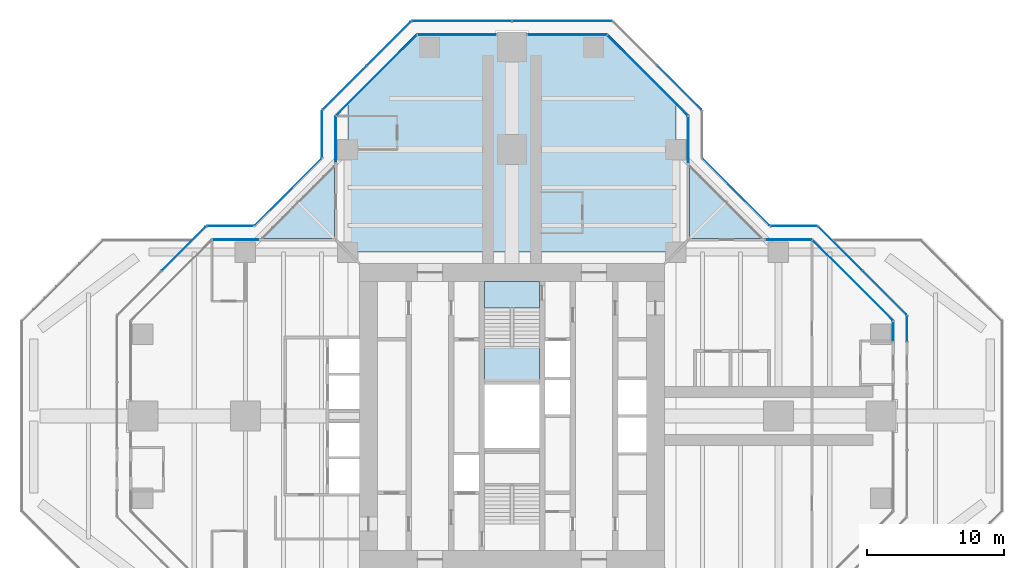
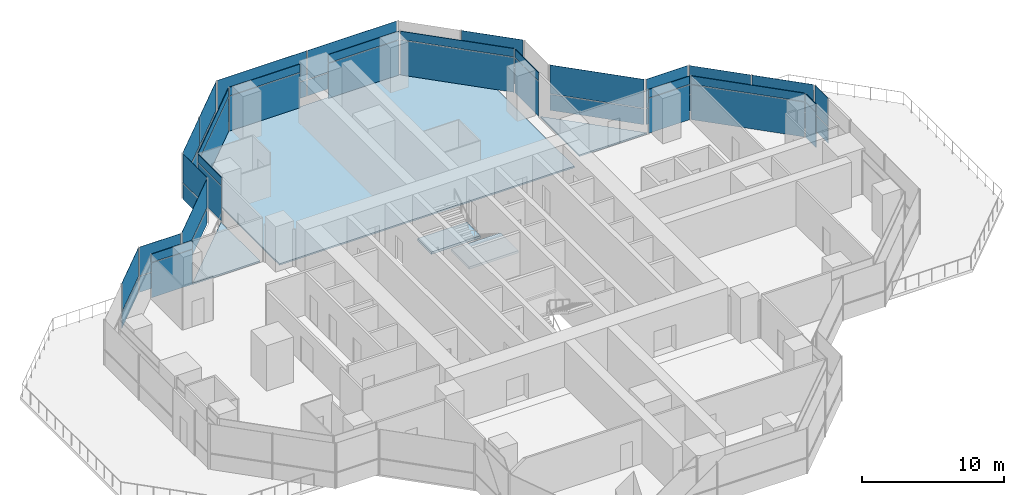
# One storey, part 13 of 19: 48 plates, 5 slabs, 22 elements without a shape of their own.
"""IFC4 building model written with IfcOpenShell, lengths in metres."""

from ifc_helpers import new_model, si_unit, direction, frame, origin, origin_2d, place, context, subcontext, project, spatial, polyline, rectangle, outline, extrude, material, layer, layer_set, type_object, element, aggregate, save


model = new_model("IFC4")

# Units and contexts
model_context = context("Model", 3, precision=1e-05, world=origin(), true_north=direction((0.0, 1.0)))
body_context = subcontext(model_context, "Body", "Model", "MODEL_VIEW")
ifc_project = project(units=[si_unit("LENGTHUNIT", "METRE"), si_unit("AREAUNIT", "SQUARE_METRE"), si_unit("VOLUMEUNIT", "CUBIC_METRE"), si_unit("PLANEANGLEUNIT", "RADIAN"), si_unit("MASSUNIT", "GRAM", prefix="KILO")], contexts=[model_context])

# Site, building, storey
site_placement = place(None, origin())
site = spatial("IfcSite", under=ifc_project, at=site_placement, CompositionType="ELEMENT")
building_placement = place(site_placement, origin())
building = spatial("IfcBuilding", under=site, at=building_placement, Name="Mizan Broadcast Tower", CompositionType="ELEMENT")
storey_placement = place(building_placement, frame((0.0, 0.0, 204.89990234375)))
storey = spatial("IfcBuildingStorey", under=building, at=storey_placement, Name="L47", CompositionType="ELEMENT", Elevation=204.89990234375)

# Slab
ifc_material_1 = material(Name="Concrete C32/40", Category="concrete")
ifc_layer_1 = layer(ifc_material_1, 0.1298828125)
ifc_layer_set_1 = layer_set([ifc_layer_1], Name="Concrete C32/40")
slab_type_1 = type_object("IfcSlabType", Name="COMPOSITE DECK SLAB 130", PredefinedType="FLOOR", material=ifc_layer_set_1)
slab_1_placement = place(storey_placement, frame((0.0, 0.0, -0.1298828125)))
element("IfcSlab", 1, at=slab_1_placement, inside=storey, type_object=slab_type_1, Name="Floor slab L47 north arm", PredefinedType="FLOOR", context=body_context, shape_type="SweptSolid", body=[
    extrude(outline(polyline([(-7.0, 28.0), (-12.0, 23.0), (-12.0, 12.0), (12.0, 12.0), (12.0, 23.0), (7.0, 28.0), (-7.0, 28.0)])), origin(), (0.0, 0.0, 1.0), 0.1298828125),
])

# Curtain wall, plate
ifc_material_2 = material(Name="Aluminium framed glazing", Category="aluminium")
curtain_wall_type_1 = type_object("IfcCurtainWallType", Name="INNER SKIN HIGH ZONE", PredefinedType="USERDEFINED", material=ifc_material_2)
curtain_wall_1_placement = place(storey_placement, origin())
curtain_wall_1 = element("IfcCurtainWall", 2, at=curtain_wall_1_placement, inside=storey, type_object=curtain_wall_type_1, Name="Inner skin high zone L47 E end", ObjectType="INNER SKIN HIGH ZONE", PredefinedType="USERDEFINED")
ifc_material_3 = material(Name="Double glazing, clear low-e", Category="glass")
ifc_layer_2 = layer(ifc_material_3, 0.028076171875)
ifc_layer_set_2 = layer_set([ifc_layer_2], Name="Double glazing, clear low-e")
plate_type_1 = type_object("IfcPlateType", Name="INNER SKIN GLAZING UNIT", PredefinedType="CURTAIN_PANEL", material=ifc_layer_set_2)
plate_1_placement = place(storey_placement, frame((27.89990234375, 6.17919921875, 0.0), z_axis=(0.0, 0.0, 1.0), x_axis=(0.0, 1.0, 0.0)))
plate_1 = element("IfcPlate", 3, at=plate_1_placement, type_object=plate_type_1, Name="Inner skin high zone L47 E end panel 1.1", PredefinedType="CURTAIN_PANEL", context=body_context, shape_type="SweptSolid", body=[
    extrude(rectangle(XDim=1.4384765625, YDim=0.028076171875, at=origin_2d()), origin(), (0.0, 0.0, 1.0), 3.0),
])

curtain_wall_2_placement = place(storey_placement, origin())
curtain_wall_2 = element("IfcCurtainWall", 4, at=curtain_wall_2_placement, inside=storey, type_object=curtain_wall_type_1, Name="Inner skin high zone L47 E chamfer", ObjectType="INNER SKIN HIGH ZONE", PredefinedType="USERDEFINED")
plate_2_placement = place(storey_placement, frame((24.92919921875, 9.92919921875, 0.0), z_axis=(0.0, 0.0, 1.0), x_axis=(-0.707106781187, 0.707106781187, 0.0)))
plate_2 = element("IfcPlate", 5, at=plate_2_placement, type_object=plate_type_1, Name="Inner skin high zone L47 E chamfer panel 1.1", PredefinedType="CURTAIN_PANEL", context=body_context, shape_type="SweptSolid", body=[
    extrude(rectangle(XDim=8.282470703125, YDim=0.028076171875, at=origin_2d()), origin(), (0.0, 0.0, 1.0), 3.0),
])

curtain_wall_3_placement = place(storey_placement, origin())
curtain_wall_3 = element("IfcCurtainWall", 6, at=curtain_wall_3_placement, inside=storey, type_object=curtain_wall_type_1, Name="Inner skin high zone L47 E side", ObjectType="INNER SKIN HIGH ZONE", PredefinedType="USERDEFINED")
plate_3_placement = place(storey_placement, frame((20.229248046875, 12.89990234375, 0.0), z_axis=(0.0, 0.0, 1.0), x_axis=(-1.0, 0.0, 0.0)))
plate_3 = element("IfcPlate", 7, at=plate_3_placement, type_object=plate_type_1, Name="Inner skin high zone L47 E side panel 1.1", PredefinedType="CURTAIN_PANEL", context=body_context, shape_type="SweptSolid", body=[
    extrude(rectangle(XDim=3.338623046875, YDim=0.028076171875, at=origin_2d()), origin(), (0.0, 0.0, 1.0), 3.0),
])

curtain_wall_4_placement = place(storey_placement, origin())
curtain_wall_4 = element("IfcCurtainWall", 8, at=curtain_wall_4_placement, inside=storey, type_object=curtain_wall_type_1, Name="Inner skin high zone L47 N side", ObjectType="INNER SKIN HIGH ZONE", PredefinedType="USERDEFINED")
plate_4_placement = place(storey_placement, frame((12.89990234375, 20.229248046875, 0.0), z_axis=(0.0, 0.0, 1.0), x_axis=(0.0, 1.0, 0.0)))
plate_4 = element("IfcPlate", 9, at=plate_4_placement, type_object=plate_type_1, Name="Inner skin high zone L47 N side panel 1.1", PredefinedType="CURTAIN_PANEL", context=body_context, shape_type="SweptSolid", body=[
    extrude(rectangle(XDim=3.338623046875, YDim=0.028076171875, at=origin_2d()), origin(), (0.0, 0.0, 1.0), 3.0),
])

curtain_wall_5_placement = place(storey_placement, origin())
curtain_wall_5 = element("IfcCurtainWall", 10, at=curtain_wall_5_placement, inside=storey, type_object=curtain_wall_type_1, Name="Inner skin high zone L47 N chamfer", ObjectType="INNER SKIN HIGH ZONE", PredefinedType="USERDEFINED")
plate_5_placement = place(storey_placement, frame((9.92919921875, 24.92919921875, 0.0), z_axis=(0.0, 0.0, 1.0), x_axis=(-0.707106781187, 0.707106781187, 0.0)))
plate_5 = element("IfcPlate", 11, at=plate_5_placement, type_object=plate_type_1, Name="Inner skin high zone L47 N chamfer panel 1.1", PredefinedType="CURTAIN_PANEL", context=body_context, shape_type="SweptSolid", body=[
    extrude(rectangle(XDim=8.282470703125, YDim=0.028076171875, at=origin_2d()), origin(), (0.0, 0.0, 1.0), 3.0),
])

curtain_wall_6_placement = place(storey_placement, origin())
curtain_wall_6 = element("IfcCurtainWall", 12, at=curtain_wall_6_placement, inside=storey, type_object=curtain_wall_type_1, Name="Inner skin high zone L47 N end", ObjectType="INNER SKIN HIGH ZONE", PredefinedType="USERDEFINED")
plate_6_placement = place(storey_placement, frame((4.029296875, 27.89990234375, 0.0), z_axis=(0.0, 0.0, 1.0), x_axis=(-1.0, 0.0, 0.0)))
plate_6 = element("IfcPlate", 13, at=plate_6_placement, type_object=plate_type_1, Name="Inner skin high zone L47 N end panel 1.1", PredefinedType="CURTAIN_PANEL", context=body_context, shape_type="SweptSolid", body=[
    extrude(rectangle(XDim=5.738525390625, YDim=0.028076171875, at=origin_2d()), origin(), (0.0, 0.0, 1.0), 3.0),
])

curtain_wall_7_placement = place(storey_placement, origin())
curtain_wall_7 = element("IfcCurtainWall", 14, at=curtain_wall_7_placement, inside=storey, type_object=curtain_wall_type_1, Name="Inner skin high zone L47 N end", ObjectType="INNER SKIN HIGH ZONE", PredefinedType="USERDEFINED")
plate_7_placement = place(storey_placement, frame((-4.029296875, 27.89990234375, 0.0), z_axis=(0.0, 0.0, 1.0), x_axis=(-1.0, 0.0, 0.0)))
plate_7 = element("IfcPlate", 15, at=plate_7_placement, type_object=plate_type_1, Name="Inner skin high zone L47 N end panel 1.1", PredefinedType="CURTAIN_PANEL", context=body_context, shape_type="SweptSolid", body=[
    extrude(rectangle(XDim=5.738525390625, YDim=0.028076171875, at=origin_2d()), origin(), (0.0, 0.0, 1.0), 3.0),
])

curtain_wall_8_placement = place(storey_placement, origin())
curtain_wall_8 = element("IfcCurtainWall", 16, at=curtain_wall_8_placement, inside=storey, type_object=curtain_wall_type_1, Name="Inner skin high zone L47 N chamfer", ObjectType="INNER SKIN HIGH ZONE", PredefinedType="USERDEFINED")
plate_8_placement = place(storey_placement, frame((-9.92919921875, 24.92919921875, 0.0), z_axis=(0.0, 0.0, 1.0), x_axis=(-0.707106781187, -0.707106781187, 0.0)))
plate_8 = element("IfcPlate", 17, at=plate_8_placement, type_object=plate_type_1, Name="Inner skin high zone L47 N chamfer panel 1.1", PredefinedType="CURTAIN_PANEL", context=body_context, shape_type="SweptSolid", body=[
    extrude(rectangle(XDim=8.282470703125, YDim=0.028076171875, at=origin_2d()), origin(), (0.0, 0.0, 1.0), 3.0),
])

curtain_wall_9_placement = place(storey_placement, origin())
curtain_wall_9 = element("IfcCurtainWall", 18, at=curtain_wall_9_placement, inside=storey, type_object=curtain_wall_type_1, Name="Inner skin high zone L47 N side", ObjectType="INNER SKIN HIGH ZONE", PredefinedType="USERDEFINED")
plate_9_placement = place(storey_placement, frame((-12.89990234375, 20.229248046875, 0.0), z_axis=(0.0, 0.0, 1.0), x_axis=(0.0, -1.0, 0.0)))
plate_9 = element("IfcPlate", 19, at=plate_9_placement, type_object=plate_type_1, Name="Inner skin high zone L47 N side panel 1.1", PredefinedType="CURTAIN_PANEL", context=body_context, shape_type="SweptSolid", body=[
    extrude(rectangle(XDim=3.338623046875, YDim=0.028076171875, at=origin_2d()), origin(), (0.0, 0.0, 1.0), 3.0),
])

curtain_wall_10_placement = place(storey_placement, origin())
curtain_wall_10 = element("IfcCurtainWall", 20, at=curtain_wall_10_placement, inside=storey, type_object=curtain_wall_type_1, Name="Inner skin high zone L47 W side", ObjectType="INNER SKIN HIGH ZONE", PredefinedType="USERDEFINED")
plate_10_placement = place(storey_placement, frame((-20.229248046875, 12.89990234375, 0.0), z_axis=(0.0, 0.0, 1.0), x_axis=(-1.0, 0.0, 0.0)))
plate_10 = element("IfcPlate", 21, at=plate_10_placement, type_object=plate_type_1, Name="Inner skin high zone L47 W side panel 1.1", PredefinedType="CURTAIN_PANEL", context=body_context, shape_type="SweptSolid", body=[
    extrude(rectangle(XDim=3.338623046875, YDim=0.028076171875, at=origin_2d()), origin(), (0.0, 0.0, 1.0), 3.0),
])

# Plate
ifc_material_4 = material(Name="Insulated aluminium spandrel panel, pale anodised", Category="aluminium")
ifc_layer_3 = layer(ifc_material_4, 0.050048828125)
ifc_layer_set_3 = layer_set([ifc_layer_3], Name="Insulated aluminium spandrel panel, pale anodised")
plate_type_2 = type_object("IfcPlateType", Name="INNER SKIN SPANDREL PANEL", PredefinedType="CURTAIN_PANEL", material=ifc_layer_set_3)
plate_11_placement = place(storey_placement, frame((27.89990234375, 6.17919921875, 3.06005859375), z_axis=(0.0, 0.0, 1.0), x_axis=(0.0, 1.0, 0.0)))
plate_11 = element("IfcPlate", 22, at=plate_11_placement, type_object=plate_type_2, Name="Inner skin high zone L47 E end panel 1.2", PredefinedType="CURTAIN_PANEL", context=body_context, shape_type="SweptSolid", body=[
    extrude(rectangle(XDim=1.4384765625, YDim=0.050048828125, at=origin_2d()), origin(), (0.0, 0.0, 1.0), 0.7099609375),
])

aggregate(curtain_wall_1, [plate_1, plate_11])

plate_12_placement = place(storey_placement, frame((24.92919921875, 9.92919921875, 3.06005859375), z_axis=(0.0, 0.0, 1.0), x_axis=(-0.707106781187, 0.707106781187, 0.0)))
plate_12 = element("IfcPlate", 23, at=plate_12_placement, type_object=plate_type_2, Name="Inner skin high zone L47 E chamfer panel 1.2", PredefinedType="CURTAIN_PANEL", context=body_context, shape_type="SweptSolid", body=[
    extrude(rectangle(XDim=8.282470703125, YDim=0.050048828125, at=origin_2d()), origin(), (0.0, 0.0, 1.0), 0.7099609375),
])

aggregate(curtain_wall_2, [plate_2, plate_12])

plate_13_placement = place(storey_placement, frame((20.229248046875, 12.89990234375, 3.06005859375), z_axis=(0.0, 0.0, 1.0), x_axis=(-1.0, 0.0, 0.0)))
plate_13 = element("IfcPlate", 24, at=plate_13_placement, type_object=plate_type_2, Name="Inner skin high zone L47 E side panel 1.2", PredefinedType="CURTAIN_PANEL", context=body_context, shape_type="SweptSolid", body=[
    extrude(rectangle(XDim=3.338623046875, YDim=0.050048828125, at=origin_2d()), origin(), (0.0, 0.0, 1.0), 0.7099609375),
])

aggregate(curtain_wall_3, [plate_3, plate_13])

plate_14_placement = place(storey_placement, frame((12.89990234375, 20.229248046875, 3.06005859375), z_axis=(0.0, 0.0, 1.0), x_axis=(0.0, 1.0, 0.0)))
plate_14 = element("IfcPlate", 25, at=plate_14_placement, type_object=plate_type_2, Name="Inner skin high zone L47 N side panel 1.2", PredefinedType="CURTAIN_PANEL", context=body_context, shape_type="SweptSolid", body=[
    extrude(rectangle(XDim=3.338623046875, YDim=0.050048828125, at=origin_2d()), origin(), (0.0, 0.0, 1.0), 0.7099609375),
])

aggregate(curtain_wall_4, [plate_4, plate_14])

plate_15_placement = place(storey_placement, frame((9.92919921875, 24.92919921875, 3.06005859375), z_axis=(0.0, 0.0, 1.0), x_axis=(-0.707106781187, 0.707106781187, 0.0)))
plate_15 = element("IfcPlate", 26, at=plate_15_placement, type_object=plate_type_2, Name="Inner skin high zone L47 N chamfer panel 1.2", PredefinedType="CURTAIN_PANEL", context=body_context, shape_type="SweptSolid", body=[
    extrude(rectangle(XDim=8.282470703125, YDim=0.050048828125, at=origin_2d()), origin(), (0.0, 0.0, 1.0), 0.7099609375),
])

aggregate(curtain_wall_5, [plate_5, plate_15])

plate_16_placement = place(storey_placement, frame((4.029296875, 27.89990234375, 3.06005859375), z_axis=(0.0, 0.0, 1.0), x_axis=(-1.0, 0.0, 0.0)))
plate_16 = element("IfcPlate", 27, at=plate_16_placement, type_object=plate_type_2, Name="Inner skin high zone L47 N end panel 1.2", PredefinedType="CURTAIN_PANEL", context=body_context, shape_type="SweptSolid", body=[
    extrude(rectangle(XDim=5.738525390625, YDim=0.050048828125, at=origin_2d()), origin(), (0.0, 0.0, 1.0), 0.7099609375),
])

aggregate(curtain_wall_6, [plate_6, plate_16])

plate_17_placement = place(storey_placement, frame((-4.029296875, 27.89990234375, 3.06005859375), z_axis=(0.0, 0.0, 1.0), x_axis=(-1.0, 0.0, 0.0)))
plate_17 = element("IfcPlate", 28, at=plate_17_placement, type_object=plate_type_2, Name="Inner skin high zone L47 N end panel 1.2", PredefinedType="CURTAIN_PANEL", context=body_context, shape_type="SweptSolid", body=[
    extrude(rectangle(XDim=5.738525390625, YDim=0.050048828125, at=origin_2d()), origin(), (0.0, 0.0, 1.0), 0.7099609375),
])

aggregate(curtain_wall_7, [plate_7, plate_17])

plate_18_placement = place(storey_placement, frame((-9.92919921875, 24.92919921875, 3.06005859375), z_axis=(0.0, 0.0, 1.0), x_axis=(-0.707106781187, -0.707106781187, 0.0)))
plate_18 = element("IfcPlate", 29, at=plate_18_placement, type_object=plate_type_2, Name="Inner skin high zone L47 N chamfer panel 1.2", PredefinedType="CURTAIN_PANEL", context=body_context, shape_type="SweptSolid", body=[
    extrude(rectangle(XDim=8.282470703125, YDim=0.050048828125, at=origin_2d()), origin(), (0.0, 0.0, 1.0), 0.7099609375),
])

aggregate(curtain_wall_8, [plate_8, plate_18])

plate_19_placement = place(storey_placement, frame((-12.89990234375, 20.229248046875, 3.06005859375), z_axis=(0.0, 0.0, 1.0), x_axis=(0.0, -1.0, 0.0)))
plate_19 = element("IfcPlate", 30, at=plate_19_placement, type_object=plate_type_2, Name="Inner skin high zone L47 N side panel 1.2", PredefinedType="CURTAIN_PANEL", context=body_context, shape_type="SweptSolid", body=[
    extrude(rectangle(XDim=3.338623046875, YDim=0.050048828125, at=origin_2d()), origin(), (0.0, 0.0, 1.0), 0.7099609375),
])

aggregate(curtain_wall_9, [plate_9, plate_19])

plate_20_placement = place(storey_placement, frame((-20.229248046875, 12.89990234375, 3.06005859375), z_axis=(0.0, 0.0, 1.0), x_axis=(-1.0, 0.0, 0.0)))
plate_20 = element("IfcPlate", 31, at=plate_20_placement, type_object=plate_type_2, Name="Inner skin high zone L47 W side panel 1.2", PredefinedType="CURTAIN_PANEL", context=body_context, shape_type="SweptSolid", body=[
    extrude(rectangle(XDim=3.338623046875, YDim=0.050048828125, at=origin_2d()), origin(), (0.0, 0.0, 1.0), 0.7099609375),
])

aggregate(curtain_wall_10, [plate_10, plate_20])

# Curtain wall, plates
ifc_material_5 = material(Name="Aluminium framed glazing", Category="aluminium")
curtain_wall_type_2 = type_object("IfcCurtainWallType", Name="OUTER SKIN", PredefinedType="USERDEFINED", material=ifc_material_5)
curtain_wall_11_placement = place(storey_placement, origin())
curtain_wall_11 = element("IfcCurtainWall", 32, at=curtain_wall_11_placement, inside=storey, type_object=curtain_wall_type_2, Name="Outer skin L47 E end", ObjectType="OUTER SKIN", PredefinedType="USERDEFINED")
ifc_material_6 = material(Name="Laminated clear glass", Category="glass")
ifc_layer_4 = layer(ifc_material_6, 0.02001953125)
ifc_layer_set_4 = layer_set([ifc_layer_4], Name="Laminated clear glass")
plate_type_3 = type_object("IfcPlateType", Name="OUTER SKIN CLEAR GLASS", PredefinedType="CURTAIN_PANEL", material=ifc_layer_set_4)
plate_21_placement = place(storey_placement, frame((28.89990234375, 6.386474609375, 0.0), z_axis=(0.0, 0.0, 1.0), x_axis=(0.0, 1.0, 0.0)))
plate_21 = element("IfcPlate", 33, at=plate_21_placement, type_object=plate_type_3, Name="Outer skin L47 E end panel 1.1", PredefinedType="CURTAIN_PANEL", context=body_context, shape_type="SweptSolid", body=[
    extrude(rectangle(XDim=1.812744140625, YDim=0.02001953125, at=origin_2d()), origin(), (0.0, 0.0, 1.0), 1.3701171875),
])
plate_22_placement = place(storey_placement, frame((28.89990234375, 6.386474609375, 1.43017578125), z_axis=(0.0, 0.0, 1.0), x_axis=(0.0, 1.0, 0.0)))
plate_22 = element("IfcPlate", 34, at=plate_22_placement, type_object=plate_type_3, Name="Outer skin L47 E end panel 1.2", PredefinedType="CURTAIN_PANEL", context=body_context, shape_type="SweptSolid", body=[
    extrude(rectangle(XDim=1.812744140625, YDim=0.02001953125, at=origin_2d()), origin(), (0.0, 0.0, 1.0), 2.469970703125),
])
aggregate(curtain_wall_11, [plate_21, plate_22])

curtain_wall_12_placement = place(storey_placement, origin())
curtain_wall_12 = element("IfcCurtainWall", 35, at=curtain_wall_12_placement, inside=storey, type_object=curtain_wall_type_2, Name="Outer skin L47 E chamfer", ObjectType="OUTER SKIN", PredefinedType="USERDEFINED")
plate_23_placement = place(storey_placement, frame((27.254150390625, 9.018798828125, 0.0), z_axis=(0.0, 0.0, 1.0), x_axis=(-0.707106781187, 0.707106781187, 0.0)))
plate_23 = element("IfcPlate", 36, at=plate_23_placement, type_object=plate_type_3, Name="Outer skin L47 E chamfer panel 1.1", PredefinedType="CURTAIN_PANEL", context=body_context, shape_type="SweptSolid", body=[
    extrude(rectangle(XDim=4.495361328125, YDim=0.02001953125, at=origin_2d()), origin(), (0.0, 0.0, 1.0), 1.3701171875),
])
plate_24_placement = place(storey_placement, frame((27.254150390625, 9.018798828125, 1.43017578125), z_axis=(0.0, 0.0, 1.0), x_axis=(-0.707106781187, 0.707106781187, 0.0)))
plate_24 = element("IfcPlate", 37, at=plate_24_placement, type_object=plate_type_3, Name="Outer skin L47 E chamfer panel 1.2", PredefinedType="CURTAIN_PANEL", context=body_context, shape_type="SweptSolid", body=[
    extrude(rectangle(XDim=4.495361328125, YDim=0.02001953125, at=origin_2d()), origin(), (0.0, 0.0, 1.0), 2.469970703125),
])

curtain_wall_13_placement = place(storey_placement, origin())
curtain_wall_13 = element("IfcCurtainWall", 38, at=curtain_wall_13_placement, inside=storey, type_object=curtain_wall_type_2, Name="Outer skin L47 E side", ObjectType="OUTER SKIN", PredefinedType="USERDEFINED")
plate_25_placement = place(storey_placement, frame((20.622802734375, 13.89990234375, 0.0), z_axis=(0.0, 0.0, 1.0), x_axis=(-1.0, 0.0, 0.0)))
plate_25 = element("IfcPlate", 39, at=plate_25_placement, type_object=plate_type_3, Name="Outer skin L47 E side panel 1.1", PredefinedType="CURTAIN_PANEL", context=body_context, shape_type="SweptSolid", body=[
    extrude(rectangle(XDim=3.340087890625, YDim=0.02001953125, at=origin_2d()), origin(), (0.0, 0.0, 1.0), 1.3701171875),
])
plate_26_placement = place(storey_placement, frame((20.622802734375, 13.89990234375, 1.43017578125), z_axis=(0.0, 0.0, 1.0), x_axis=(-1.0, 0.0, 0.0)))
plate_26 = element("IfcPlate", 40, at=plate_26_placement, type_object=plate_type_3, Name="Outer skin L47 E side panel 1.2", PredefinedType="CURTAIN_PANEL", context=body_context, shape_type="SweptSolid", body=[
    extrude(rectangle(XDim=3.340087890625, YDim=0.02001953125, at=origin_2d()), origin(), (0.0, 0.0, 1.0), 2.469970703125),
])
aggregate(curtain_wall_13, [plate_25, plate_26])

curtain_wall_14_placement = place(storey_placement, origin())
curtain_wall_14 = element("IfcCurtainWall", 41, at=curtain_wall_14_placement, inside=storey, type_object=curtain_wall_type_2, Name="Outer skin L47 E chamfer", ObjectType="OUTER SKIN", PredefinedType="USERDEFINED")
plate_27_placement = place(storey_placement, frame((16.386474609375, 16.386474609375, 0.0), z_axis=(0.0, 0.0, 1.0), x_axis=(-0.707106781187, 0.707106781187, 0.0)))
plate_27 = element("IfcPlate", 42, at=plate_27_placement, type_object=plate_type_3, Name="Outer skin L47 E chamfer panel 1.1", PredefinedType="CURTAIN_PANEL", context=body_context, shape_type="SweptSolid", body=[
    extrude(rectangle(XDim=6.87255859375, YDim=0.02001953125, at=origin_2d()), origin(), (0.0, 0.0, 1.0), 1.3701171875),
])
plate_28_placement = place(storey_placement, frame((16.386474609375, 16.386474609375, 1.43017578125), z_axis=(0.0, 0.0, 1.0), x_axis=(-0.707106781187, 0.707106781187, 0.0)))
plate_28 = element("IfcPlate", 43, at=plate_28_placement, type_object=plate_type_3, Name="Outer skin L47 E chamfer panel 1.2", PredefinedType="CURTAIN_PANEL", context=body_context, shape_type="SweptSolid", body=[
    extrude(rectangle(XDim=6.87255859375, YDim=0.02001953125, at=origin_2d()), origin(), (0.0, 0.0, 1.0), 2.469970703125),
])
aggregate(curtain_wall_14, [plate_27, plate_28])

curtain_wall_15_placement = place(storey_placement, origin())
curtain_wall_15 = element("IfcCurtainWall", 44, at=curtain_wall_15_placement, inside=storey, type_object=curtain_wall_type_2, Name="Outer skin L47 N chamfer", ObjectType="OUTER SKIN", PredefinedType="USERDEFINED")
plate_29_placement = place(storey_placement, frame((12.254150390625, 24.018798828125, 0.0), z_axis=(0.0, 0.0, 1.0), x_axis=(-0.707106781187, 0.707106781187, 0.0)))
plate_29 = element("IfcPlate", 45, at=plate_29_placement, type_object=plate_type_3, Name="Outer skin L47 N chamfer panel 1.1", PredefinedType="CURTAIN_PANEL", context=body_context, shape_type="SweptSolid", body=[
    extrude(rectangle(XDim=4.495361328125, YDim=0.02001953125, at=origin_2d()), origin(), (0.0, 0.0, 1.0), 1.3701171875),
])
plate_30_placement = place(storey_placement, frame((12.254150390625, 24.018798828125, 1.43017578125), z_axis=(0.0, 0.0, 1.0), x_axis=(-0.707106781187, 0.707106781187, 0.0)))
plate_30 = element("IfcPlate", 46, at=plate_30_placement, type_object=plate_type_3, Name="Outer skin L47 N chamfer panel 1.2", PredefinedType="CURTAIN_PANEL", context=body_context, shape_type="SweptSolid", body=[
    extrude(rectangle(XDim=4.495361328125, YDim=0.02001953125, at=origin_2d()), origin(), (0.0, 0.0, 1.0), 2.469970703125),
])
aggregate(curtain_wall_15, [plate_29, plate_30])

curtain_wall_16_placement = place(storey_placement, origin())
curtain_wall_16 = element("IfcCurtainWall", 47, at=curtain_wall_16_placement, inside=storey, type_object=curtain_wall_type_2, Name="Outer skin L47 N end", ObjectType="OUTER SKIN", PredefinedType="USERDEFINED")
plate_31_placement = place(storey_placement, frame((3.66650390625, 28.89990234375, 0.0), z_axis=(0.0, 0.0, 1.0), x_axis=(-1.0, 0.0, 0.0)))
plate_31 = element("IfcPlate", 48, at=plate_31_placement, type_object=plate_type_3, Name="Outer skin L47 N end panel 1.1", PredefinedType="CURTAIN_PANEL", context=body_context, shape_type="SweptSolid", body=[
    extrude(rectangle(XDim=7.252685546875, YDim=0.02001953125, at=origin_2d()), origin(), (0.0, 0.0, 1.0), 1.3701171875),
])
plate_32_placement = place(storey_placement, frame((3.66650390625, 28.89990234375, 1.43017578125), z_axis=(0.0, 0.0, 1.0), x_axis=(-1.0, 0.0, 0.0)))
plate_32 = element("IfcPlate", 49, at=plate_32_placement, type_object=plate_type_3, Name="Outer skin L47 N end panel 1.2", PredefinedType="CURTAIN_PANEL", context=body_context, shape_type="SweptSolid", body=[
    extrude(rectangle(XDim=7.252685546875, YDim=0.02001953125, at=origin_2d()), origin(), (0.0, 0.0, 1.0), 2.469970703125),
])
plate_33_placement = place(storey_placement, frame((-3.66650390625, 28.89990234375, 0.0), z_axis=(0.0, 0.0, 1.0), x_axis=(-1.0, 0.0, 0.0)))
plate_33 = element("IfcPlate", 50, at=plate_33_placement, type_object=plate_type_3, Name="Outer skin L47 N end panel 2.1", PredefinedType="CURTAIN_PANEL", context=body_context, shape_type="SweptSolid", body=[
    extrude(rectangle(XDim=7.252685546875, YDim=0.02001953125, at=origin_2d()), origin(), (0.0, 0.0, 1.0), 1.3701171875),
])
plate_34_placement = place(storey_placement, frame((-3.66650390625, 28.89990234375, 1.43017578125), z_axis=(0.0, 0.0, 1.0), x_axis=(-1.0, 0.0, 0.0)))
plate_34 = element("IfcPlate", 51, at=plate_34_placement, type_object=plate_type_3, Name="Outer skin L47 N end panel 2.2", PredefinedType="CURTAIN_PANEL", context=body_context, shape_type="SweptSolid", body=[
    extrude(rectangle(XDim=7.252685546875, YDim=0.02001953125, at=origin_2d()), origin(), (0.0, 0.0, 1.0), 2.469970703125),
])
aggregate(curtain_wall_16, [plate_31, plate_32, plate_33, plate_34])

curtain_wall_17_placement = place(storey_placement, origin())
curtain_wall_17 = element("IfcCurtainWall", 52, at=curtain_wall_17_placement, inside=storey, type_object=curtain_wall_type_2, Name="Outer skin L47 N chamfer", ObjectType="OUTER SKIN", PredefinedType="USERDEFINED")
plate_35_placement = place(storey_placement, frame((-9.018798828125, 27.254150390625, 0.0), z_axis=(0.0, 0.0, 1.0), x_axis=(-0.707106781187, -0.707106781187, 0.0)))
plate_35 = element("IfcPlate", 53, at=plate_35_placement, type_object=plate_type_3, Name="Outer skin L47 N chamfer panel 1.1", PredefinedType="CURTAIN_PANEL", context=body_context, shape_type="SweptSolid", body=[
    extrude(rectangle(XDim=4.495361328125, YDim=0.02001953125, at=origin_2d()), origin(), (0.0, 0.0, 1.0), 1.3701171875),
])
plate_36_placement = place(storey_placement, frame((-9.018798828125, 27.254150390625, 1.43017578125), z_axis=(0.0, 0.0, 1.0), x_axis=(-0.707106781187, -0.707106781187, 0.0)))
plate_36 = element("IfcPlate", 54, at=plate_36_placement, type_object=plate_type_3, Name="Outer skin L47 N chamfer panel 1.2", PredefinedType="CURTAIN_PANEL", context=body_context, shape_type="SweptSolid", body=[
    extrude(rectangle(XDim=4.495361328125, YDim=0.02001953125, at=origin_2d()), origin(), (0.0, 0.0, 1.0), 2.469970703125),
])

curtain_wall_18_placement = place(storey_placement, origin())
curtain_wall_18 = element("IfcCurtainWall", 55, at=curtain_wall_18_placement, inside=storey, type_object=curtain_wall_type_2, Name="Outer skin L47 N side", ObjectType="OUTER SKIN", PredefinedType="USERDEFINED")
plate_37_placement = place(storey_placement, frame((-13.89990234375, 20.622802734375, 0.0), z_axis=(0.0, 0.0, 1.0), x_axis=(0.0, -1.0, 0.0)))
plate_37 = element("IfcPlate", 56, at=plate_37_placement, type_object=plate_type_3, Name="Outer skin L47 N side panel 1.1", PredefinedType="CURTAIN_PANEL", context=body_context, shape_type="SweptSolid", body=[
    extrude(rectangle(XDim=3.340087890625, YDim=0.02001953125, at=origin_2d()), origin(), (0.0, 0.0, 1.0), 1.3701171875),
])
plate_38_placement = place(storey_placement, frame((-13.89990234375, 20.622802734375, 1.43017578125), z_axis=(0.0, 0.0, 1.0), x_axis=(0.0, -1.0, 0.0)))
plate_38 = element("IfcPlate", 57, at=plate_38_placement, type_object=plate_type_3, Name="Outer skin L47 N side panel 1.2", PredefinedType="CURTAIN_PANEL", context=body_context, shape_type="SweptSolid", body=[
    extrude(rectangle(XDim=3.340087890625, YDim=0.02001953125, at=origin_2d()), origin(), (0.0, 0.0, 1.0), 2.469970703125),
])
aggregate(curtain_wall_18, [plate_37, plate_38])

curtain_wall_19_placement = place(storey_placement, origin())
curtain_wall_19 = element("IfcCurtainWall", 58, at=curtain_wall_19_placement, inside=storey, type_object=curtain_wall_type_2, Name="Outer skin L47 W chamfer", ObjectType="OUTER SKIN", PredefinedType="USERDEFINED")
plate_39_placement = place(storey_placement, frame((-16.386474609375, 16.386474609375, 0.0), z_axis=(0.0, 0.0, 1.0), x_axis=(-0.707106781187, -0.707106781187, 0.0)))
plate_39 = element("IfcPlate", 59, at=plate_39_placement, type_object=plate_type_3, Name="Outer skin L47 W chamfer panel 1.1", PredefinedType="CURTAIN_PANEL", context=body_context, shape_type="SweptSolid", body=[
    extrude(rectangle(XDim=6.87255859375, YDim=0.02001953125, at=origin_2d()), origin(), (0.0, 0.0, 1.0), 1.3701171875),
])
plate_40_placement = place(storey_placement, frame((-16.386474609375, 16.386474609375, 1.43017578125), z_axis=(0.0, 0.0, 1.0), x_axis=(-0.707106781187, -0.707106781187, 0.0)))
plate_40 = element("IfcPlate", 60, at=plate_40_placement, type_object=plate_type_3, Name="Outer skin L47 W chamfer panel 1.2", PredefinedType="CURTAIN_PANEL", context=body_context, shape_type="SweptSolid", body=[
    extrude(rectangle(XDim=6.87255859375, YDim=0.02001953125, at=origin_2d()), origin(), (0.0, 0.0, 1.0), 2.469970703125),
])
aggregate(curtain_wall_19, [plate_39, plate_40])

curtain_wall_20_placement = place(storey_placement, origin())
curtain_wall_20 = element("IfcCurtainWall", 61, at=curtain_wall_20_placement, inside=storey, type_object=curtain_wall_type_2, Name="Outer skin L47 W side", ObjectType="OUTER SKIN", PredefinedType="USERDEFINED")
plate_41_placement = place(storey_placement, frame((-20.622802734375, 13.89990234375, 0.0), z_axis=(0.0, 0.0, 1.0), x_axis=(-1.0, 0.0, 0.0)))
plate_41 = element("IfcPlate", 62, at=plate_41_placement, type_object=plate_type_3, Name="Outer skin L47 W side panel 1.1", PredefinedType="CURTAIN_PANEL", context=body_context, shape_type="SweptSolid", body=[
    extrude(rectangle(XDim=3.340087890625, YDim=0.02001953125, at=origin_2d()), origin(), (0.0, 0.0, 1.0), 1.3701171875),
])
plate_42_placement = place(storey_placement, frame((-20.622802734375, 13.89990234375, 1.43017578125), z_axis=(0.0, 0.0, 1.0), x_axis=(-1.0, 0.0, 0.0)))
plate_42 = element("IfcPlate", 63, at=plate_42_placement, type_object=plate_type_3, Name="Outer skin L47 W side panel 1.2", PredefinedType="CURTAIN_PANEL", context=body_context, shape_type="SweptSolid", body=[
    extrude(rectangle(XDim=3.340087890625, YDim=0.02001953125, at=origin_2d()), origin(), (0.0, 0.0, 1.0), 2.469970703125),
])
aggregate(curtain_wall_20, [plate_41, plate_42])

curtain_wall_21_placement = place(storey_placement, origin())
curtain_wall_21 = element("IfcCurtainWall", 64, at=curtain_wall_21_placement, inside=storey, type_object=curtain_wall_type_2, Name="Outer skin L47 W chamfer", ObjectType="OUTER SKIN", PredefinedType="USERDEFINED")
plate_43_placement = place(storey_placement, frame((-24.018798828125, 12.254150390625, 0.0), z_axis=(0.0, 0.0, 1.0), x_axis=(-0.707106781187, -0.707106781187, 0.0)))
plate_43 = element("IfcPlate", 65, at=plate_43_placement, type_object=plate_type_3, Name="Outer skin L47 W chamfer panel 1.1", PredefinedType="CURTAIN_PANEL", context=body_context, shape_type="SweptSolid", body=[
    extrude(rectangle(XDim=4.495361328125, YDim=0.02001953125, at=origin_2d()), origin(), (0.0, 0.0, 1.0), 1.3701171875),
])
plate_44_placement = place(storey_placement, frame((-24.018798828125, 12.254150390625, 1.43017578125), z_axis=(0.0, 0.0, 1.0), x_axis=(-0.707106781187, -0.707106781187, 0.0)))
plate_44 = element("IfcPlate", 66, at=plate_44_placement, type_object=plate_type_3, Name="Outer skin L47 W chamfer panel 1.2", PredefinedType="CURTAIN_PANEL", context=body_context, shape_type="SweptSolid", body=[
    extrude(rectangle(XDim=4.495361328125, YDim=0.02001953125, at=origin_2d()), origin(), (0.0, 0.0, 1.0), 2.469970703125),
])
aggregate(curtain_wall_21, [plate_43, plate_44])

# Plate
ifc_material_7 = material(Name="Perforated aluminium, pale anodised", Category="aluminium")
ifc_layer_5 = layer(ifc_material_7, 0.011962890625)
ifc_layer_set_5 = layer_set([ifc_layer_5], Name="Perforated aluminium, pale anodised")
plate_type_4 = type_object("IfcPlateType", Name="OUTER SKIN PERFORATED SCREEN", PredefinedType="USERDEFINED", material=ifc_layer_set_5)
plate_45_placement = place(storey_placement, frame((24.018798828125, 12.254150390625, 0.0), z_axis=(0.0, 0.0, 1.0), x_axis=(-0.707106781187, 0.707106781187, 0.0)))
plate_45 = element("IfcPlate", 67, at=plate_45_placement, type_object=plate_type_4, Name="Outer skin L47 E chamfer panel 2.1", ObjectType="SCREEN", PredefinedType="USERDEFINED", context=body_context, shape_type="SweptSolid", body=[
    extrude(rectangle(XDim=4.495361328125, YDim=0.011962890625, at=origin_2d()), origin(), (0.0, 0.0, 1.0), 1.3701171875),
])

plate_46_placement = place(storey_placement, frame((24.018798828125, 12.254150390625, 1.43017578125), z_axis=(0.0, 0.0, 1.0), x_axis=(-0.707106781187, 0.707106781187, 0.0)))
plate_46 = element("IfcPlate", 68, at=plate_46_placement, type_object=plate_type_4, Name="Outer skin L47 E chamfer panel 2.2", ObjectType="SCREEN", PredefinedType="USERDEFINED", context=body_context, shape_type="SweptSolid", body=[
    extrude(rectangle(XDim=4.495361328125, YDim=0.011962890625, at=origin_2d()), origin(), (0.0, 0.0, 1.0), 2.469970703125),
])

aggregate(curtain_wall_12, [plate_23, plate_24, plate_45, plate_46])

plate_47_placement = place(storey_placement, frame((-12.254150390625, 24.018798828125, 0.0), z_axis=(0.0, 0.0, 1.0), x_axis=(-0.707106781187, -0.707106781187, 0.0)))
plate_47 = element("IfcPlate", 69, at=plate_47_placement, type_object=plate_type_4, Name="Outer skin L47 N chamfer panel 2.1", ObjectType="SCREEN", PredefinedType="USERDEFINED", context=body_context, shape_type="SweptSolid", body=[
    extrude(rectangle(XDim=4.495361328125, YDim=0.011962890625, at=origin_2d()), origin(), (0.0, 0.0, 1.0), 1.3701171875),
])

plate_48_placement = place(storey_placement, frame((-12.254150390625, 24.018798828125, 1.43017578125), z_axis=(0.0, 0.0, 1.0), x_axis=(-0.707106781187, -0.707106781187, 0.0)))
plate_48 = element("IfcPlate", 70, at=plate_48_placement, type_object=plate_type_4, Name="Outer skin L47 N chamfer panel 2.2", ObjectType="SCREEN", PredefinedType="USERDEFINED", context=body_context, shape_type="SweptSolid", body=[
    extrude(rectangle(XDim=4.495361328125, YDim=0.011962890625, at=origin_2d()), origin(), (0.0, 0.0, 1.0), 2.469970703125),
])

aggregate(curtain_wall_17, [plate_35, plate_36, plate_47, plate_48])

# Stair, slabs
ifc_material_8 = material(Name="Concrete C40/50", Category="concrete")
stair_type = type_object("IfcStairType", Name="EXIT STAIR", PredefinedType="HALF_TURN_STAIR", material=ifc_material_8)
stair_placement = place(storey_placement, origin())
stair = element("IfcStair", 71, at=stair_placement, inside=storey, type_object=stair_type, Name="Stair B L47", PredefinedType="HALF_TURN_STAIR")
ifc_material_9 = material(Name="Concrete C40/50", Category="concrete")
ifc_layer_6 = layer(ifc_material_9, 0.199951171875)
ifc_layer_set_6 = layer_set([ifc_layer_6], Name="Concrete C40/50")
slab_type_2 = type_object("IfcSlabType", Name="STAIR LANDING 200", PredefinedType="LANDING", material=ifc_layer_set_6)
slab_2_placement = place(storey_placement, frame((0.0, 0.0, -0.199951171875)))
slab_2 = element("IfcSlab", 72, at=slab_2_placement, type_object=slab_type_2, Name="B landing 1", PredefinedType="LANDING", context=body_context, shape_type="SweptSolid", body=[
    extrude(outline(polyline([(2.0, 9.85009765625), (2.0, 7.89990234375), (-2.0, 7.89990234375), (-2.0, 9.85009765625), (2.0, 9.85009765625)])), origin(), (0.0, 0.0, 1.0), 0.199951171875),
])
slab_3_placement = place(storey_placement, frame((0.0, 0.0, 1.75)))
slab_3 = element("IfcSlab", 73, at=slab_3_placement, type_object=slab_type_2, Name="B landing 2", PredefinedType="LANDING", context=body_context, shape_type="SweptSolid", body=[
    extrude(outline(polyline([(2.0, 5.10009765625), (2.0, 2.574951171875), (-2.0, 2.574951171875), (-2.0, 5.10009765625), (2.0, 5.10009765625)])), origin(), (0.0, 0.0, 1.0), 0.2001953125),
])
aggregate(stair, [slab_2, slab_3])

# Slabs
ifc_material_10 = material(Name="Concrete C32/40", Category="concrete")
ifc_layer_7 = layer(ifc_material_10, 0.1298828125)
ifc_layer_set_7 = layer_set([ifc_layer_7], Name="Concrete C32/40")
slab_type_3 = type_object("IfcSlabType", Name="WINTER GARDEN SLAB 130", PredefinedType="FLOOR", material=ifc_layer_set_7)
slab_4_placement = place(storey_placement, frame((0.0, 0.0, -0.1298828125)))
element("IfcSlab", 74, at=slab_4_placement, inside=storey, type_object=slab_type_3, Name="Winter garden slab L47 E", PredefinedType="FLOOR", context=body_context, shape_type="SweptSolid", body=[
    extrude(outline(polyline([(13.0, 13.0), (18.5, 13.0), (13.0, 18.5), (13.0, 13.0)])), origin(), (0.0, 0.0, 1.0), 0.1298828125),
])
slab_5_placement = place(storey_placement, frame((0.0, 0.0, -0.1298828125)))
element("IfcSlab", 75, at=slab_5_placement, inside=storey, type_object=slab_type_3, Name="Winter garden slab L47 N", PredefinedType="FLOOR", context=body_context, shape_type="SweptSolid", body=[
    extrude(outline(polyline([(-13.0, 13.0), (-13.0, 18.5), (-18.5, 13.0), (-13.0, 13.0)])), origin(), (0.0, 0.0, 1.0), 0.1298828125),
])

save(model, "model.ifc")
